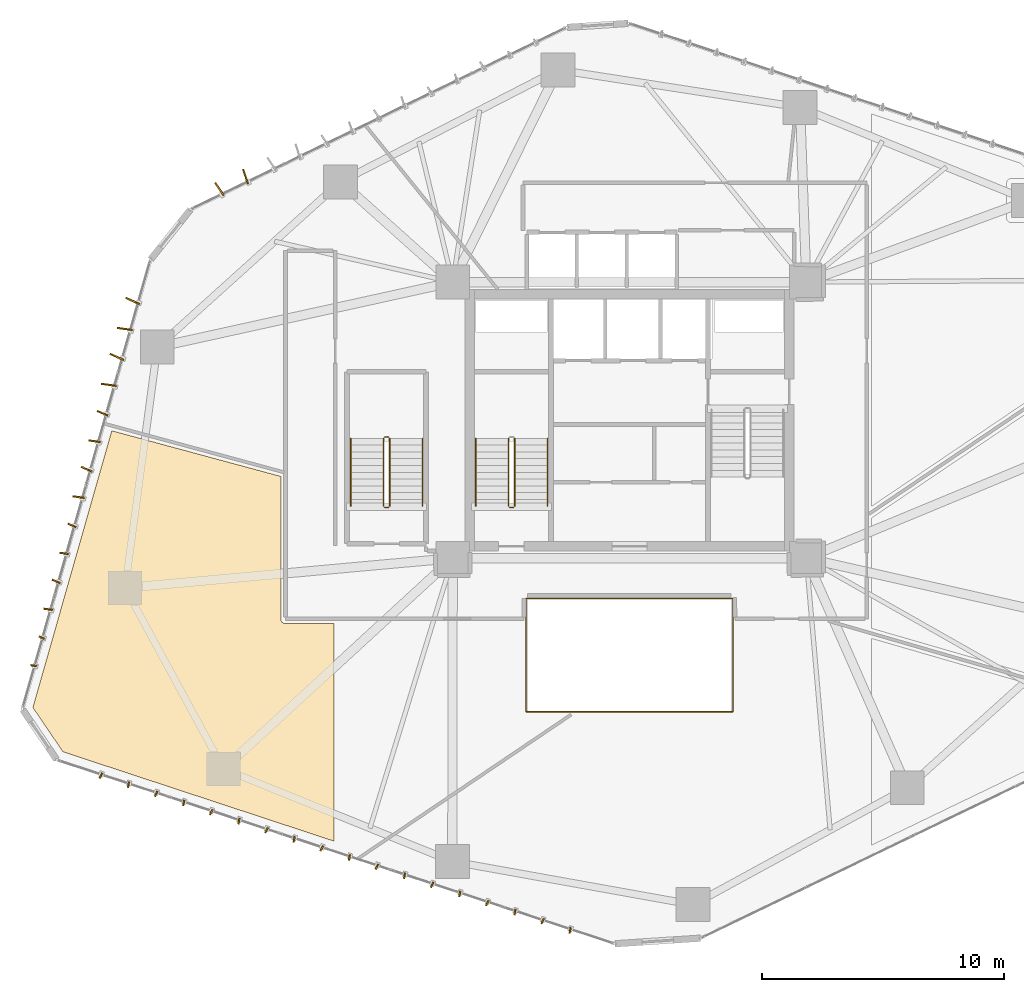
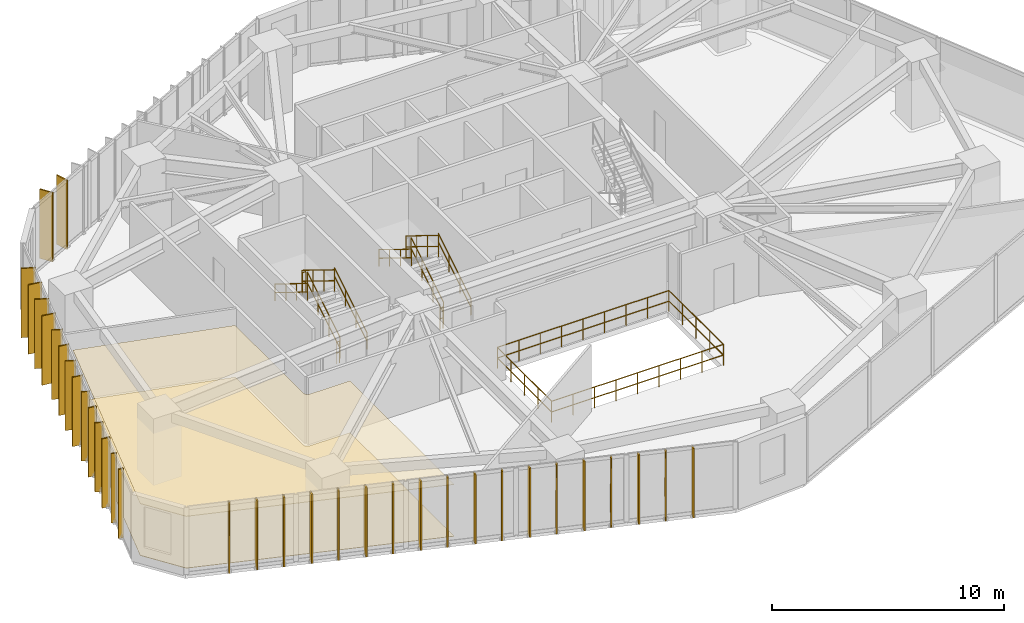
# One storey, part 21 of 23: 34 shading devices, 15 railings, 2 coverings.
"""IFC4 building model written with IfcOpenShell, lengths in metres."""

from ifc_helpers import new_model, si_unit, direction, frame, origin, origin_2d, place, context, subcontext, project, spatial, polyline, rectangle, circle, outline, extrude, source, transform, mapped, material, layer, layer_set, type_object, type_shapes, element, save


model = new_model("IFC4")

# Units and contexts
model_context = context("Model", 3, precision=1e-05, world=origin(), true_north=direction((0.0, 1.0)))
body_context = subcontext(model_context, "Body", "Model", "MODEL_VIEW")
ifc_project = project(units=[si_unit("LENGTHUNIT", "METRE"), si_unit("AREAUNIT", "SQUARE_METRE"), si_unit("VOLUMEUNIT", "CUBIC_METRE"), si_unit("PLANEANGLEUNIT", "RADIAN"), si_unit("MASSUNIT", "GRAM", prefix="KILO")], contexts=[model_context])

# Site, building, storey
site_placement = place(None, origin())
site = spatial("IfcSite", under=ifc_project, at=site_placement, CompositionType="ELEMENT")
building_placement = place(site_placement, origin())
building = spatial("IfcBuilding", under=site, at=building_placement, Name="Talar Marvaseh", CompositionType="ELEMENT")
storey_placement = place(building_placement, frame((0.0, 0.0, 35.39990234375)))
storey = spatial("IfcBuildingStorey", under=building, at=storey_placement, Name="L08", CompositionType="ELEMENT", Elevation=35.39990234375)

# Railings
ifc_material_1 = material(Name="Stainless Steel Grade 316", Category="steel")
railing_type_1 = type_object("IfcRailingType", Name="Brushed Stainless Wall Pitch Handrail 900", PredefinedType="HANDRAIL", material=ifc_material_1)
railing_1_placement = place(storey_placement, frame((22.610107421875, 27.64990234375, 0.1728515625)))
element("IfcRailing", 1, at=railing_1_placement, inside=storey, type_object=railing_type_1, Name="L08 ST-1 stair handrail 1", PredefinedType="HANDRAIL", context=body_context, shape_type="SweptSolid", body=[
    extrude(circle(Radius=0.02392578125, at=origin_2d()), frame((0.0, 0.0, 0.8759765625), z_axis=(0.0, 0.851089632645, 0.525020415988), x_axis=(-1.0, 0.0, 0.0)), (0.0, 0.0, 1.0), 3.2900390625),
    extrude(circle(Radius=0.02392578125, at=origin_2d()), frame((0.0, 0.0, 0.42578125), z_axis=(0.0, 0.851089632645, 0.525020415988), x_axis=(-1.0, 0.0, 0.0)), (0.0, 0.0, 1.0), 3.2900390625),
    extrude(circle(Radius=0.02099609375, at=origin_2d()), origin(), (0.0, 0.0, 1.0), 0.851806640625),
    extrude(circle(Radius=0.02099609375, at=origin_2d()), frame((0.0, 0.933349609375, 0.57568359375)), (0.0, 0.0, 1.0), 0.851806640625),
    extrude(circle(Radius=0.02099609375, at=origin_2d()), frame((0.0, 1.86669921875, 1.151611328125)), (0.0, 0.0, 1.0), 0.851806640625),
    extrude(circle(Radius=0.02099609375, at=origin_2d()), frame((0.0, 2.800048828125, 1.727294921875)), (0.0, 0.0, 1.0), 0.851806640625),
])
railing_2_placement = place(storey_placement, frame((19.64990234375, 30.449951171875, 2.07275390625)))
element("IfcRailing", 2, at=railing_2_placement, inside=storey, type_object=railing_type_1, Name="L08 ST-1 stair handrail 2", PredefinedType="HANDRAIL", context=body_context, shape_type="SweptSolid", body=[
    extrude(circle(Radius=0.02392578125, at=origin_2d()), frame((0.0, 0.0, 0.8759765625), z_axis=(0.0, -0.851089632645, 0.525020415988), x_axis=(1.0, 0.0, 0.0)), (0.0, 0.0, 1.0), 3.2900390625),
    extrude(circle(Radius=0.02392578125, at=origin_2d()), frame((0.0, 0.0, 0.42578125), z_axis=(0.0, -0.851089632645, 0.525020415988), x_axis=(1.0, 0.0, 0.0)), (0.0, 0.0, 1.0), 3.2900390625),
    extrude(circle(Radius=0.02099609375, at=origin_2d()), origin(), (0.0, 0.0, 1.0), 0.851806640625),
    extrude(circle(Radius=0.02099609375, at=origin_2d()), frame((0.0, -0.933349609375, 0.57568359375)), (0.0, 0.0, 1.0), 0.851806640625),
    extrude(circle(Radius=0.02099609375, at=origin_2d()), frame((0.0, -1.86669921875, 1.151611328125)), (0.0, 0.0, 1.0), 0.851806640625),
    extrude(circle(Radius=0.02099609375, at=origin_2d()), frame((0.0, -2.800048828125, 1.727294921875)), (0.0, 0.0, 1.0), 0.851806640625),
])
railing_3_placement = place(storey_placement, frame((17.449951171875, 27.64990234375, 0.1728515625)))
element("IfcRailing", 3, at=railing_3_placement, inside=storey, type_object=railing_type_1, Name="L08 ST-3 stair handrail 1", PredefinedType="HANDRAIL", context=body_context, shape_type="SweptSolid", body=[
    extrude(circle(Radius=0.02392578125, at=origin_2d()), frame((0.0, 0.0, 0.8759765625), z_axis=(0.0, 0.851089632645, 0.525020415988), x_axis=(-1.0, 0.0, 0.0)), (0.0, 0.0, 1.0), 3.2900390625),
    extrude(circle(Radius=0.02392578125, at=origin_2d()), frame((0.0, 0.0, 0.42578125), z_axis=(0.0, 0.851089632645, 0.525020415988), x_axis=(-1.0, 0.0, 0.0)), (0.0, 0.0, 1.0), 3.2900390625),
    extrude(circle(Radius=0.02099609375, at=origin_2d()), origin(), (0.0, 0.0, 1.0), 0.851806640625),
    extrude(circle(Radius=0.02099609375, at=origin_2d()), frame((0.0, 0.933349609375, 0.57568359375)), (0.0, 0.0, 1.0), 0.851806640625),
    extrude(circle(Radius=0.02099609375, at=origin_2d()), frame((0.0, 1.86669921875, 1.151611328125)), (0.0, 0.0, 1.0), 0.851806640625),
    extrude(circle(Radius=0.02099609375, at=origin_2d()), frame((0.0, 2.800048828125, 1.727294921875)), (0.0, 0.0, 1.0), 0.851806640625),
])
railing_4_placement = place(storey_placement, frame((14.489990234375, 30.449951171875, 2.07275390625)))
element("IfcRailing", 4, at=railing_4_placement, inside=storey, type_object=railing_type_1, Name="L08 ST-3 stair handrail 2", PredefinedType="HANDRAIL", context=body_context, shape_type="SweptSolid", body=[
    extrude(circle(Radius=0.02392578125, at=origin_2d()), frame((0.0, 0.0, 0.8759765625), z_axis=(0.0, -0.851089632645, 0.525020415988), x_axis=(1.0, 0.0, 0.0)), (0.0, 0.0, 1.0), 3.2900390625),
    extrude(circle(Radius=0.02392578125, at=origin_2d()), frame((0.0, 0.0, 0.42578125), z_axis=(0.0, -0.851089632645, 0.525020415988), x_axis=(1.0, 0.0, 0.0)), (0.0, 0.0, 1.0), 3.2900390625),
    extrude(circle(Radius=0.02099609375, at=origin_2d()), origin(), (0.0, 0.0, 1.0), 0.851806640625),
    extrude(circle(Radius=0.02099609375, at=origin_2d()), frame((0.0, -0.933349609375, 0.57568359375)), (0.0, 0.0, 1.0), 0.851806640625),
    extrude(circle(Radius=0.02099609375, at=origin_2d()), frame((0.0, -1.86669921875, 1.151611328125)), (0.0, 0.0, 1.0), 0.851806640625),
    extrude(circle(Radius=0.02099609375, at=origin_2d()), frame((0.0, -2.800048828125, 1.727294921875)), (0.0, 0.0, 1.0), 0.851806640625),
])
ifc_material_2 = material(Name="Tempered Clear Glass", Category="glass")
railing_type_2 = type_object("IfcRailingType", Name="Interior Atrium Edge Balustrade 1120", PredefinedType="BALUSTRADE", material=ifc_material_2)
railing_5_placement = place(storey_placement, frame((21.729736328125, 19.16162109375, 0.0)))
element("IfcRailing", 5, at=railing_5_placement, inside=storey, type_object=railing_type_2, Name="L08 Internal Daylight Atrium Balustrade 1", PredefinedType="BALUSTRADE", context=body_context, shape_type="SweptSolid", body=[
    extrude(circle(Radius=0.02392578125, at=origin_2d()), frame((0.0, 0.0, 1.09619140625), z_axis=(1.0, 0.0, 0.0), x_axis=(0.0, 1.0, 0.0)), (0.0, 0.0, 1.0), 8.54052734375),
    extrude(circle(Radius=0.02392578125, at=origin_2d()), frame((0.0, 0.0, 0.5361328125), z_axis=(1.0, 0.0, 0.0), x_axis=(0.0, 1.0, 0.0)), (0.0, 0.0, 1.0), 8.54052734375),
    extrude(circle(Radius=0.02099609375, at=origin_2d()), origin(), (0.0, 0.0, 1.0), 1.072021484375),
    extrude(circle(Radius=0.02099609375, at=origin_2d()), frame((1.067626953125, 0.0, 0.0)), (0.0, 0.0, 1.0), 1.072021484375),
    extrude(circle(Radius=0.02099609375, at=origin_2d()), frame((2.13525390625, 0.0, 0.0)), (0.0, 0.0, 1.0), 1.072021484375),
    extrude(circle(Radius=0.02099609375, at=origin_2d()), frame((3.20263671875, 0.0, 0.0)), (0.0, 0.0, 1.0), 1.072021484375),
    extrude(circle(Radius=0.02099609375, at=origin_2d()), frame((4.270263671875, 0.0, 0.0)), (0.0, 0.0, 1.0), 1.072021484375),
    extrude(circle(Radius=0.02099609375, at=origin_2d()), frame((5.337890625, 0.0, 0.0)), (0.0, 0.0, 1.0), 1.072021484375),
    extrude(circle(Radius=0.02099609375, at=origin_2d()), frame((6.4052734375, 0.0, 0.0)), (0.0, 0.0, 1.0), 1.072021484375),
    extrude(circle(Radius=0.02099609375, at=origin_2d()), frame((7.472900390625, 0.0, 0.0)), (0.0, 0.0, 1.0), 1.072021484375),
    extrude(circle(Radius=0.02099609375, at=origin_2d()), frame((8.54052734375, 0.0, 0.0)), (0.0, 0.0, 1.0), 1.072021484375),
])
railing_6_placement = place(storey_placement, frame((30.270263671875, 19.16162109375, 0.0)))
element("IfcRailing", 6, at=railing_6_placement, inside=storey, type_object=railing_type_2, Name="L08 Internal Daylight Atrium Balustrade 2", PredefinedType="BALUSTRADE", context=body_context, shape_type="SweptSolid", body=[
    extrude(circle(Radius=0.02392578125, at=origin_2d()), frame((0.0, 0.0, 1.09619140625), z_axis=(0.0, 1.0, 0.0), x_axis=(-1.0, 0.0, 0.0)), (0.0, 0.0, 1.0), 4.6767578125),
    extrude(circle(Radius=0.02392578125, at=origin_2d()), frame((0.0, 0.0, 0.5361328125), z_axis=(0.0, 1.0, 0.0), x_axis=(-1.0, 0.0, 0.0)), (0.0, 0.0, 1.0), 4.6767578125),
    extrude(circle(Radius=0.02099609375, at=origin_2d()), origin(), (0.0, 0.0, 1.0), 1.072021484375),
    extrude(circle(Radius=0.02099609375, at=origin_2d()), frame((0.0, 1.169189453125, 0.0)), (0.0, 0.0, 1.0), 1.072021484375),
    extrude(circle(Radius=0.02099609375, at=origin_2d()), frame((0.0, 2.33837890625, 0.0)), (0.0, 0.0, 1.0), 1.072021484375),
    extrude(circle(Radius=0.02099609375, at=origin_2d()), frame((0.0, 3.507568359375, 0.0)), (0.0, 0.0, 1.0), 1.072021484375),
    extrude(circle(Radius=0.02099609375, at=origin_2d()), frame((0.0, 4.6767578125, 0.0)), (0.0, 0.0, 1.0), 1.072021484375),
])
railing_7_placement = place(storey_placement, frame((30.270263671875, 23.83837890625, 0.0)))
element("IfcRailing", 7, at=railing_7_placement, inside=storey, type_object=railing_type_2, Name="L08 Internal Daylight Atrium Balustrade 3", PredefinedType="BALUSTRADE", context=body_context, shape_type="SweptSolid", body=[
    extrude(circle(Radius=0.02392578125, at=origin_2d()), frame((0.0, 0.0, 1.09619140625), z_axis=(-1.0, 0.0, 0.0), x_axis=(0.0, -1.0, 0.0)), (0.0, 0.0, 1.0), 8.54052734375),
    extrude(circle(Radius=0.02392578125, at=origin_2d()), frame((0.0, 0.0, 0.5361328125), z_axis=(-1.0, 0.0, 0.0), x_axis=(0.0, -1.0, 0.0)), (0.0, 0.0, 1.0), 8.54052734375),
    extrude(circle(Radius=0.02099609375, at=origin_2d()), origin(), (0.0, 0.0, 1.0), 1.072021484375),
    extrude(circle(Radius=0.02099609375, at=origin_2d()), frame((-1.067626953125, 0.0, 0.0)), (0.0, 0.0, 1.0), 1.072021484375),
    extrude(circle(Radius=0.02099609375, at=origin_2d()), frame((-2.13525390625, 0.0, 0.0)), (0.0, 0.0, 1.0), 1.072021484375),
    extrude(circle(Radius=0.02099609375, at=origin_2d()), frame((-3.20263671875, 0.0, 0.0)), (0.0, 0.0, 1.0), 1.072021484375),
    extrude(circle(Radius=0.02099609375, at=origin_2d()), frame((-4.270263671875, 0.0, 0.0)), (0.0, 0.0, 1.0), 1.072021484375),
    extrude(circle(Radius=0.02099609375, at=origin_2d()), frame((-5.337890625, 0.0, 0.0)), (0.0, 0.0, 1.0), 1.072021484375),
    extrude(circle(Radius=0.02099609375, at=origin_2d()), frame((-6.4052734375, 0.0, 0.0)), (0.0, 0.0, 1.0), 1.072021484375),
    extrude(circle(Radius=0.02099609375, at=origin_2d()), frame((-7.472900390625, 0.0, 0.0)), (0.0, 0.0, 1.0), 1.072021484375),
    extrude(circle(Radius=0.02099609375, at=origin_2d()), frame((-8.54052734375, 0.0, 0.0)), (0.0, 0.0, 1.0), 1.072021484375),
])
railing_8_placement = place(storey_placement, frame((21.729736328125, 23.83837890625, 0.0)))
element("IfcRailing", 8, at=railing_8_placement, inside=storey, type_object=railing_type_2, Name="L08 Internal Daylight Atrium Balustrade 4", PredefinedType="BALUSTRADE", context=body_context, shape_type="SweptSolid", body=[
    extrude(circle(Radius=0.02392578125, at=origin_2d()), frame((0.0, 0.0, 1.09619140625), z_axis=(0.0, -1.0, 0.0), x_axis=(1.0, 0.0, 0.0)), (0.0, 0.0, 1.0), 4.6767578125),
    extrude(circle(Radius=0.02392578125, at=origin_2d()), frame((0.0, 0.0, 0.5361328125), z_axis=(0.0, -1.0, 0.0), x_axis=(1.0, 0.0, 0.0)), (0.0, 0.0, 1.0), 4.6767578125),
    extrude(circle(Radius=0.02099609375, at=origin_2d()), origin(), (0.0, 0.0, 1.0), 1.072021484375),
    extrude(circle(Radius=0.02099609375, at=origin_2d()), frame((0.0, -1.169189453125, 0.0)), (0.0, 0.0, 1.0), 1.072021484375),
    extrude(circle(Radius=0.02099609375, at=origin_2d()), frame((0.0, -2.33837890625, 0.0)), (0.0, 0.0, 1.0), 1.072021484375),
    extrude(circle(Radius=0.02099609375, at=origin_2d()), frame((0.0, -3.507568359375, 0.0)), (0.0, 0.0, 1.0), 1.072021484375),
    extrude(circle(Radius=0.02099609375, at=origin_2d()), frame((0.0, -4.6767578125, 0.0)), (0.0, 0.0, 1.0), 1.072021484375),
])
railing_type_3 = type_object("IfcRailingType", Name="Painted Steel Core Stair Well Guardrail 1150", PredefinedType="GUARDRAIL", material=ifc_material_1)
railing_9_placement = place(storey_placement, frame((21.260009765625, 27.64990234375, 0.1728515625)))
element("IfcRailing", 9, at=railing_9_placement, inside=storey, type_object=railing_type_3, Name="L08 ST-1 stair guard 1", PredefinedType="GUARDRAIL", context=body_context, shape_type="SweptSolid", body=[
    extrude(circle(Radius=0.02392578125, at=origin_2d()), frame((0.0, 0.0, 1.1259765625), z_axis=(0.0, 0.851089632645, 0.525020415988), x_axis=(-1.0, 0.0, 0.0)), (0.0, 0.0, 1.0), 3.2900390625),
    extrude(circle(Radius=0.02392578125, at=origin_2d()), frame((0.0, 0.0, 0.55078125), z_axis=(0.0, 0.851089632645, 0.525020415988), x_axis=(-1.0, 0.0, 0.0)), (0.0, 0.0, 1.0), 3.2900390625),
    extrude(circle(Radius=0.02099609375, at=origin_2d()), origin(), (0.0, 0.0, 1.0), 1.101806640625),
    extrude(circle(Radius=0.02099609375, at=origin_2d()), frame((0.0, 0.933349609375, 0.57568359375)), (0.0, 0.0, 1.0), 1.101806640625),
    extrude(circle(Radius=0.02099609375, at=origin_2d()), frame((0.0, 1.86669921875, 1.151611328125)), (0.0, 0.0, 1.0), 1.101806640625),
    extrude(circle(Radius=0.02099609375, at=origin_2d()), frame((0.0, 2.800048828125, 1.727294921875)), (0.0, 0.0, 1.0), 1.101806640625),
])
railing_10_placement = place(storey_placement, frame((21.0, 30.449951171875, 2.07275390625)))
element("IfcRailing", 10, at=railing_10_placement, inside=storey, type_object=railing_type_3, Name="L08 ST-1 stair guard 3", PredefinedType="GUARDRAIL", context=body_context, shape_type="SweptSolid", body=[
    extrude(circle(Radius=0.02392578125, at=origin_2d()), frame((0.0, 0.0, 1.1259765625), z_axis=(0.0, -0.851089632645, 0.525020415988), x_axis=(1.0, 0.0, 0.0)), (0.0, 0.0, 1.0), 3.2900390625),
    extrude(circle(Radius=0.02392578125, at=origin_2d()), frame((0.0, 0.0, 0.55078125), z_axis=(0.0, -0.851089632645, 0.525020415988), x_axis=(1.0, 0.0, 0.0)), (0.0, 0.0, 1.0), 3.2900390625),
    extrude(circle(Radius=0.02099609375, at=origin_2d()), origin(), (0.0, 0.0, 1.0), 1.101806640625),
    extrude(circle(Radius=0.02099609375, at=origin_2d()), frame((0.0, -0.933349609375, 0.57568359375)), (0.0, 0.0, 1.0), 1.101806640625),
    extrude(circle(Radius=0.02099609375, at=origin_2d()), frame((0.0, -1.86669921875, 1.151611328125)), (0.0, 0.0, 1.0), 1.101806640625),
    extrude(circle(Radius=0.02099609375, at=origin_2d()), frame((0.0, -2.800048828125, 1.727294921875)), (0.0, 0.0, 1.0), 1.101806640625),
])
railing_11_placement = place(storey_placement, frame((21.2099609375, 27.60009765625, 0.0)))
element("IfcRailing", 11, at=railing_11_placement, inside=storey, type_object=railing_type_3, Name="L08 ST-1 stair guard 4", PredefinedType="GUARDRAIL", context=body_context, shape_type="SweptSolid", body=[
    extrude(circle(Radius=0.02392578125, at=origin_2d()), frame((0.0, 0.0, 1.1259765625), z_axis=(-1.0, 0.0, 0.0), x_axis=(0.0, -1.0, 0.0)), (0.0, 0.0, 1.0), 0.159912109375),
    extrude(circle(Radius=0.02392578125, at=origin_2d()), frame((0.0, 0.0, 0.55078125), z_axis=(-1.0, 0.0, 0.0), x_axis=(0.0, -1.0, 0.0)), (0.0, 0.0, 1.0), 0.159912109375),
    extrude(circle(Radius=0.02099609375, at=origin_2d()), origin(), (0.0, 0.0, 1.0), 1.101806640625),
    extrude(circle(Radius=0.02099609375, at=origin_2d()), frame((-0.159912109375, 0.0, 0.0)), (0.0, 0.0, 1.0), 1.101806640625),
])
railing_12_placement = place(storey_placement, frame((16.10009765625, 27.64990234375, 0.1728515625)))
element("IfcRailing", 12, at=railing_12_placement, inside=storey, type_object=railing_type_3, Name="L08 ST-3 stair guard 1", PredefinedType="GUARDRAIL", context=body_context, shape_type="SweptSolid", body=[
    extrude(circle(Radius=0.02392578125, at=origin_2d()), frame((0.0, 0.0, 1.1259765625), z_axis=(0.0, 0.851089632645, 0.525020415988), x_axis=(-1.0, 0.0, 0.0)), (0.0, 0.0, 1.0), 3.2900390625),
    extrude(circle(Radius=0.02392578125, at=origin_2d()), frame((0.0, 0.0, 0.55078125), z_axis=(0.0, 0.851089632645, 0.525020415988), x_axis=(-1.0, 0.0, 0.0)), (0.0, 0.0, 1.0), 3.2900390625),
    extrude(circle(Radius=0.02099609375, at=origin_2d()), origin(), (0.0, 0.0, 1.0), 1.101806640625),
    extrude(circle(Radius=0.02099609375, at=origin_2d()), frame((0.0, 0.933349609375, 0.57568359375)), (0.0, 0.0, 1.0), 1.101806640625),
    extrude(circle(Radius=0.02099609375, at=origin_2d()), frame((0.0, 1.86669921875, 1.151611328125)), (0.0, 0.0, 1.0), 1.101806640625),
    extrude(circle(Radius=0.02099609375, at=origin_2d()), frame((0.0, 2.800048828125, 1.727294921875)), (0.0, 0.0, 1.0), 1.101806640625),
])
railing_13_placement = place(storey_placement, frame((16.050048828125, 30.5, 1.900146484375)))
element("IfcRailing", 13, at=railing_13_placement, inside=storey, type_object=railing_type_3, Name="L08 ST-3 stair guard 2", PredefinedType="GUARDRAIL", context=body_context, shape_type="SweptSolid", body=[
    extrude(circle(Radius=0.02392578125, at=origin_2d()), frame((0.0, 0.0, 1.1259765625), z_axis=(-1.0, 0.0, 0.0), x_axis=(0.0, -1.0, 0.0)), (0.0, 0.0, 1.0), 0.16015625),
    extrude(circle(Radius=0.02392578125, at=origin_2d()), frame((0.0, 0.0, 0.55078125), z_axis=(-1.0, 0.0, 0.0), x_axis=(0.0, -1.0, 0.0)), (0.0, 0.0, 1.0), 0.16015625),
    extrude(circle(Radius=0.02099609375, at=origin_2d()), origin(), (0.0, 0.0, 1.0), 1.101806640625),
    extrude(circle(Radius=0.02099609375, at=origin_2d()), frame((-0.16015625, 0.0, 0.0)), (0.0, 0.0, 1.0), 1.101806640625),
])
railing_14_placement = place(storey_placement, frame((15.840087890625, 30.449951171875, 2.07275390625)))
element("IfcRailing", 14, at=railing_14_placement, inside=storey, type_object=railing_type_3, Name="L08 ST-3 stair guard 3", PredefinedType="GUARDRAIL", context=body_context, shape_type="SweptSolid", body=[
    extrude(circle(Radius=0.02392578125, at=origin_2d()), frame((0.0, 0.0, 1.1259765625), z_axis=(0.0, -0.851089632645, 0.525020415988), x_axis=(1.0, 0.0, 0.0)), (0.0, 0.0, 1.0), 3.2900390625),
    extrude(circle(Radius=0.02392578125, at=origin_2d()), frame((0.0, 0.0, 0.55078125), z_axis=(0.0, -0.851089632645, 0.525020415988), x_axis=(1.0, 0.0, 0.0)), (0.0, 0.0, 1.0), 3.2900390625),
    extrude(circle(Radius=0.02099609375, at=origin_2d()), origin(), (0.0, 0.0, 1.0), 1.101806640625),
    extrude(circle(Radius=0.02099609375, at=origin_2d()), frame((0.0, -0.933349609375, 0.57568359375)), (0.0, 0.0, 1.0), 1.101806640625),
    extrude(circle(Radius=0.02099609375, at=origin_2d()), frame((0.0, -1.86669921875, 1.151611328125)), (0.0, 0.0, 1.0), 1.101806640625),
    extrude(circle(Radius=0.02099609375, at=origin_2d()), frame((0.0, -2.800048828125, 1.727294921875)), (0.0, 0.0, 1.0), 1.101806640625),
])
railing_15_placement = place(storey_placement, frame((16.050048828125, 27.60009765625, 0.0)))
element("IfcRailing", 15, at=railing_15_placement, inside=storey, type_object=railing_type_3, Name="L08 ST-3 stair guard 4", PredefinedType="GUARDRAIL", context=body_context, shape_type="SweptSolid", body=[
    extrude(circle(Radius=0.02392578125, at=origin_2d()), frame((0.0, 0.0, 1.1259765625), z_axis=(-1.0, 0.0, 0.0), x_axis=(0.0, -1.0, 0.0)), (0.0, 0.0, 1.0), 0.16015625),
    extrude(circle(Radius=0.02392578125, at=origin_2d()), frame((0.0, 0.0, 0.55078125), z_axis=(-1.0, 0.0, 0.0), x_axis=(0.0, -1.0, 0.0)), (0.0, 0.0, 1.0), 0.16015625),
    extrude(circle(Radius=0.02099609375, at=origin_2d()), origin(), (0.0, 0.0, 1.0), 1.101806640625),
    extrude(circle(Radius=0.02099609375, at=origin_2d()), frame((-0.16015625, 0.0, 0.0)), (0.0, 0.0, 1.0), 1.101806640625),
])

# Coverings
ifc_material_3 = material(Name="Mineral Fibre Acoustic Ceiling")
ifc_layer_1 = layer(ifc_material_3, 0.02490234375)
ifc_layer_set_1 = layer_set([ifc_layer_1], Name="Mineral Fibre Acoustic Ceiling")
covering_type_1 = type_object("IfcCoveringType", Name="Perforated Mineral Fibre Acoustic Suspended Ceiling", PredefinedType="CEILING", material=ifc_layer_set_1)
covering_1_placement = place(storey_placement, frame((0.0, 0.0, 2.72021484375)))
element("IfcCovering", 16, at=covering_1_placement, inside=storey, type_object=covering_type_1, Name="L08 Exhibition Gallery Acoustic Ceiling", PredefinedType="CEILING", context=body_context, shape_type="SweptSolid", body=[
    extrude(outline(polyline([(11.60009765625, 28.87841796875), (11.60009765625, 23.0), (11.60107421875, 22.98046875), (11.603759765625, 22.9609375), (11.608642578125, 22.94189453125), (11.615234375, 22.923583984375), (11.62353515625, 22.90576171875), (11.6337890625, 22.888916015625), (11.6455078125, 22.873046875), (11.65869140625, 22.858642578125), (11.673095703125, 22.845458984375), (11.68896484375, 22.833740234375), (11.705810546875, 22.823486328125), (11.723388671875, 22.815185546875), (11.741943359375, 22.80859375), (11.760986328125, 22.8037109375), (11.780517578125, 22.801025390625), (11.800048828125, 22.800048828125), (13.800048828125, 22.800048828125), (13.800048828125, 13.817138671875), (2.606201171875, 17.506591796875), (1.364990234375, 19.33447265625), (4.621337890625, 30.76318359375), (11.60009765625, 28.87841796875)])), origin(), (0.0, 0.0, 1.0), 0.02490234375),
])
ifc_material_4 = material(Name="Porcelain Stoneware Tile", Category="masonry")
ifc_layer_2 = layer(ifc_material_4, 0.02001953125)
ifc_layer_set_2 = layer_set([ifc_layer_2], Name="Porcelain Stoneware Tile")
covering_type_2 = type_object("IfcCoveringType", Name="Polished Porcelain Stoneware Gallery Flooring", PredefinedType="FLOORING", material=ifc_layer_set_2)
covering_2_placement = place(storey_placement, origin())
element("IfcCovering", 17, at=covering_2_placement, inside=storey, type_object=covering_type_2, Name="L08 Exhibition Gallery Flooring", PredefinedType="FLOORING", context=body_context, shape_type="SweptSolid", body=[
    extrude(outline(polyline([(11.60009765625, 28.87841796875), (11.60009765625, 23.0), (11.60107421875, 22.98046875), (11.603759765625, 22.9609375), (11.608642578125, 22.94189453125), (11.615234375, 22.923583984375), (11.62353515625, 22.90576171875), (11.6337890625, 22.888916015625), (11.6455078125, 22.873046875), (11.65869140625, 22.858642578125), (11.673095703125, 22.845458984375), (11.68896484375, 22.833740234375), (11.705810546875, 22.823486328125), (11.723388671875, 22.815185546875), (11.741943359375, 22.80859375), (11.760986328125, 22.8037109375), (11.780517578125, 22.801025390625), (11.800048828125, 22.800048828125), (13.800048828125, 22.800048828125), (13.800048828125, 13.817138671875), (2.606201171875, 17.506591796875), (1.364990234375, 19.33447265625), (4.621337890625, 30.76318359375), (11.60009765625, 28.87841796875)])), origin(), (0.0, 0.0, 1.0), 0.02001953125),
])

# Shading devices
ifc_material_5 = material(Name="Anodised Champagne Bronze Aluminium", Category="aluminium")
ifc_layer_3 = layer(ifc_material_5, 0.06494140625)
ifc_layer_set_3 = layer_set([ifc_layer_3], Name="Anodised Champagne Bronze Aluminium")
shading_device_type_1 = type_object("IfcShadingDeviceType", Name="Sawtooth Champagne Bronze Vertical Fin 240", PredefinedType="USERDEFINED", material=ifc_layer_set_3)
shared_shape_1 = source(origin(), body_context, "Body", "SweptSolid", [
    extrude(rectangle(XDim=0.239990234375, YDim=0.06494140625, at=origin_2d()), origin(), (0.0, 0.0, 1.0), 3.639892578125),
])
type_shapes(shading_device_type_1, [shared_shape_1])
for number, where, z_axis, x_axis, name in (
    (18, (1.395751953125, 21.066650390625, -0.11962890625), (0.0, 0.0, 1.0), (-0.990509463238, 0.137444546037, 0.0), "L08 Sawtooth Vertical Solar Fin"),
    (19, (1.724609375, 22.220703125, -0.11962890625), (0.0, 0.0, 1.0), (-0.914253955234, 0.40514158678, 0.0), "L08 Sawtooth Vertical Solar Fin"),
    (20, (23.549072265625, 10.135498046875, -0.11962890625), (0.0, 0.0, 1.0), (-0.177771795263, -0.984071739666, 0.0), "L08 Sawtooth Vertical Solar Fin"),
    (21, (22.4091796875, 10.51123046875, -0.11962890625), (0.0, 0.0, 1.0), (-0.44213214966, -0.896949921811, 0.0), "L08 Sawtooth Vertical Solar Fin"),
    (22, (21.26953125, 10.88671875, -0.11962890625), (0.0, 0.0, 1.0), (-0.177771795263, -0.984071739666, 0.0), "L08 Sawtooth Vertical Solar Fin"),
    (23, (20.1298828125, 11.262451171875, -0.11962890625), (0.0, 0.0, 1.0), (-0.44213214966, -0.896949921811, 0.0), "L08 Sawtooth Vertical Solar Fin"),
    (24, (18.990234375, 11.63818359375, -0.11962890625), (0.0, 0.0, 1.0), (-0.177771795263, -0.984071739666, 0.0), "L08 Sawtooth Vertical Solar Fin"),
    (25, (17.8505859375, 12.013671875, -0.11962890625), (0.0, 0.0, 1.0), (-0.44213214966, -0.896949921811, 0.0), "L08 Sawtooth Vertical Solar Fin"),
    (26, (16.710693359375, 12.389404296875, -0.11962890625), (0.0, 0.0, 1.0), (-0.177771795263, -0.984071739666, 0.0), "L08 Sawtooth Vertical Solar Fin"),
    (27, (15.571044921875, 12.764892578125, -0.11962890625), (0.0, 0.0, 1.0), (-0.44213214966, -0.896949921811, 0.0), "L08 Sawtooth Vertical Solar Fin"),
    (28, (14.431396484375, 13.140625, -0.11962890625), (0.0, 0.0, 1.0), (-0.177771795263, -0.984071739666, 0.0), "L08 Sawtooth Vertical Solar Fin"),
    (29, (13.291748046875, 13.51611328125, -0.11962890625), (0.0, 0.0, 1.0), (-0.44213214966, -0.896949921811, 0.0), "L08 Sawtooth Vertical Solar Fin"),
    (30, (12.152099609375, 13.891845703125, -0.11962890625), (0.0, 0.0, 1.0), (-0.177771795263, -0.984071739666, 0.0), "L08 Sawtooth Vertical Solar Fin"),
    (31, (11.01220703125, 14.267333984375, -0.11962890625), (0.0, 0.0, 1.0), (-0.44213214966, -0.896949921811, 0.0), "L08 Sawtooth Vertical Solar Fin"),
    (32, (9.87255859375, 14.64306640625, -0.11962890625), (0.0, 0.0, 1.0), (-0.177771795263, -0.984071739666, 0.0), "L08 Sawtooth Vertical Solar Fin"),
    (33, (8.73291015625, 15.018798828125, -0.11962890625), (0.0, 0.0, 1.0), (-0.44213214966, -0.896949921811, 0.0), "L08 Sawtooth Vertical Solar Fin"),
    (34, (7.59326171875, 15.394287109375, -0.11962890625), (0.0, 0.0, 1.0), (-0.177771795263, -0.984071739666, 0.0), "L08 Sawtooth Vertical Solar Fin"),
    (35, (6.45361328125, 15.77001953125, -0.11962890625), (0.0, 0.0, 1.0), (-0.44213214966, -0.896949921811, 0.0), "L08 Sawtooth Vertical Solar Fin"),
    (36, (5.313720703125, 16.1455078125, -0.11962890625), (0.0, 0.0, 1.0), (-0.177771795263, -0.984071739666, 0.0), "L08 Sawtooth Vertical Solar Fin"),
    (37, (4.174072265625, 16.521240234375, -0.11962890625), (0.0, 0.0, 1.0), (-0.44213214966, -0.896949921811, 0.0), "L08 Sawtooth Vertical Solar Fin"),
):
    element("IfcShadingDevice", number, at=place(storey_placement, frame(where, z_axis=z_axis, x_axis=x_axis)), inside=storey, type_object=shading_device_type_1, Name=name, ObjectType="FIN", PredefinedType="USERDEFINED", context=body_context, shape_type="MappedRepresentation", body=[
        mapped(shared_shape_1, transform((0.0, 0.0, 0.0), x_axis=(1.0, 0.0, 0.0), y_axis=(0.0, 1.0, 0.0), z_axis=(0.0, 0.0, 1.0), scale=1.0)),
    ])
ifc_layer_4 = layer(ifc_material_5, 0.06494140625)
ifc_layer_set_4 = layer_set([ifc_layer_4], Name="Anodised Champagne Bronze Aluminium")
shading_device_type_2 = type_object("IfcShadingDeviceType", Name="Sawtooth Champagne Bronze Vertical Fin 360", PredefinedType="USERDEFINED", material=ifc_layer_set_4)
shared_shape_2 = source(origin(), body_context, "Body", "SweptSolid", [
    extrude(rectangle(XDim=0.360107421875, YDim=0.06494140625, at=origin_2d()), origin(), (0.0, 0.0, 1.0), 3.639892578125),
])
type_shapes(shading_device_type_2, [shared_shape_2])
for number, where, z_axis, x_axis, name in (
    (38, (1.99560546875, 23.391357421875, -0.11962890625), (0.0, 0.0, 1.0), (-0.990509463238, 0.137444546037, 0.0), "L08 Sawtooth Vertical Solar Fin"),
    (39, (2.32470703125, 24.54541015625, -0.11962890625), (0.0, 0.0, 1.0), (-0.914253955234, 0.40514158678, 0.0), "L08 Sawtooth Vertical Solar Fin"),
    (40, (2.6533203125, 25.699462890625, -0.11962890625), (0.0, 0.0, 1.0), (-0.990509463238, 0.137444546037, 0.0), "L08 Sawtooth Vertical Solar Fin"),
    (41, (2.982177734375, 26.853515625, -0.11962890625), (0.0, 0.0, 1.0), (-0.914253955234, 0.40514158678, 0.0), "L08 Sawtooth Vertical Solar Fin"),
):
    element("IfcShadingDevice", number, at=place(storey_placement, frame(where, z_axis=z_axis, x_axis=x_axis)), inside=storey, type_object=shading_device_type_2, Name=name, ObjectType="FIN", PredefinedType="USERDEFINED", context=body_context, shape_type="MappedRepresentation", body=[
        mapped(shared_shape_2, transform((0.0, 0.0, 0.0), x_axis=(1.0, 0.0, 0.0), y_axis=(0.0, 1.0, 0.0), z_axis=(0.0, 0.0, 1.0), scale=1.0)),
    ])
ifc_layer_5 = layer(ifc_material_5, 0.06494140625)
ifc_layer_set_5 = layer_set([ifc_layer_5], Name="Anodised Champagne Bronze Aluminium")
shading_device_type_3 = type_object("IfcShadingDeviceType", Name="Sawtooth Champagne Bronze Vertical Fin 480", PredefinedType="USERDEFINED", material=ifc_layer_set_5)
shared_shape_3 = source(origin(), body_context, "Body", "SweptSolid", [
    extrude(rectangle(XDim=0.47998046875, YDim=0.06494140625, at=origin_2d()), origin(), (0.0, 0.0, 1.0), 3.639892578125),
])
type_shapes(shading_device_type_3, [shared_shape_3])
for number, where, z_axis, x_axis, name in (
    (42, (3.25341796875, 28.02392578125, -0.11962890625), (0.0, 0.0, 1.0), (-0.990509463238, 0.137444546037, 0.0), "L08 Sawtooth Vertical Solar Fin"),
    (43, (3.582275390625, 29.177978515625, -0.11962890625), (0.0, 0.0, 1.0), (-0.914253955234, 0.40514158678, 0.0), "L08 Sawtooth Vertical Solar Fin"),
    (44, (3.910888671875, 30.332275390625, -0.11962890625), (0.0, 0.0, 1.0), (-0.990509463238, 0.137444546037, 0.0), "L08 Sawtooth Vertical Solar Fin"),
    (45, (4.23974609375, 31.486083984375, -0.11962890625), (0.0, 0.0, 1.0), (-0.914253955234, 0.40514158678, 0.0), "L08 Sawtooth Vertical Solar Fin"),
):
    element("IfcShadingDevice", number, at=place(storey_placement, frame(where, z_axis=z_axis, x_axis=x_axis)), inside=storey, type_object=shading_device_type_3, Name=name, ObjectType="FIN", PredefinedType="USERDEFINED", context=body_context, shape_type="MappedRepresentation", body=[
        mapped(shared_shape_3, transform((0.0, 0.0, 0.0), x_axis=(1.0, 0.0, 0.0), y_axis=(0.0, 1.0, 0.0), z_axis=(0.0, 0.0, 1.0), scale=1.0)),
    ])
ifc_layer_6 = layer(ifc_material_5, 0.06494140625)
ifc_layer_set_6 = layer_set([ifc_layer_6], Name="Anodised Champagne Bronze Aluminium")
shading_device_type_4 = type_object("IfcShadingDeviceType", Name="Sawtooth Champagne Bronze Vertical Fin 620", PredefinedType="USERDEFINED", material=ifc_layer_set_6)
shared_shape_4 = source(origin(), body_context, "Body", "SweptSolid", [
    extrude(rectangle(XDim=0.6201171875, YDim=0.06494140625, at=origin_2d()), origin(), (0.0, 0.0, 1.0), 3.639892578125),
])
type_shapes(shading_device_type_4, [shared_shape_4])
for number, where, z_axis, x_axis, name in (
    (46, (4.501220703125, 32.659423828125, -0.11962890625), (0.0, 0.0, 1.0), (-0.990509463238, 0.137444546037, 0.0), "L08 Sawtooth Vertical Solar Fin"),
    (47, (4.830078125, 33.8134765625, -0.11962890625), (0.0, 0.0, 1.0), (-0.914253955234, 0.40514158678, 0.0), "L08 Sawtooth Vertical Solar Fin"),
    (48, (5.158935546875, 34.967529296875, -0.11962890625), (0.0, 0.0, 1.0), (-0.990509463238, 0.137444546037, 0.0), "L08 Sawtooth Vertical Solar Fin"),
    (49, (5.48779296875, 36.12158203125, -0.11962890625), (0.0, 0.0, 1.0), (-0.914253955234, 0.40514158678, 0.0), "L08 Sawtooth Vertical Solar Fin"),
    (50, (9.064453125, 40.739013671875, -0.11962890625), (0.0, 0.0, 1.0), (-0.556585649903, 0.83079023485, 0.0), "L08 Sawtooth Vertical Solar Fin"),
    (51, (10.144775390625, 41.26171875, -0.11962890625), (0.0, 0.0, 1.0), (-0.306027642189, 0.952022626946, 0.0), "L08 Sawtooth Vertical Solar Fin"),
):
    element("IfcShadingDevice", number, at=place(storey_placement, frame(where, z_axis=z_axis, x_axis=x_axis)), inside=storey, type_object=shading_device_type_4, Name=name, ObjectType="FIN", PredefinedType="USERDEFINED", context=body_context, shape_type="MappedRepresentation", body=[
        mapped(shared_shape_4, transform((0.0, 0.0, 0.0), x_axis=(1.0, 0.0, 0.0), y_axis=(0.0, 1.0, 0.0), z_axis=(0.0, 0.0, 1.0), scale=1.0)),
    ])

save(model, "model.ifc")
